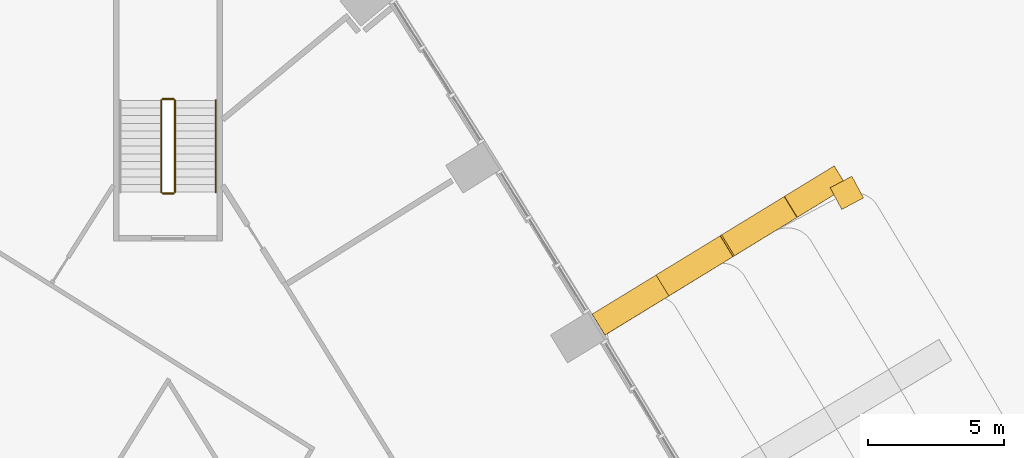
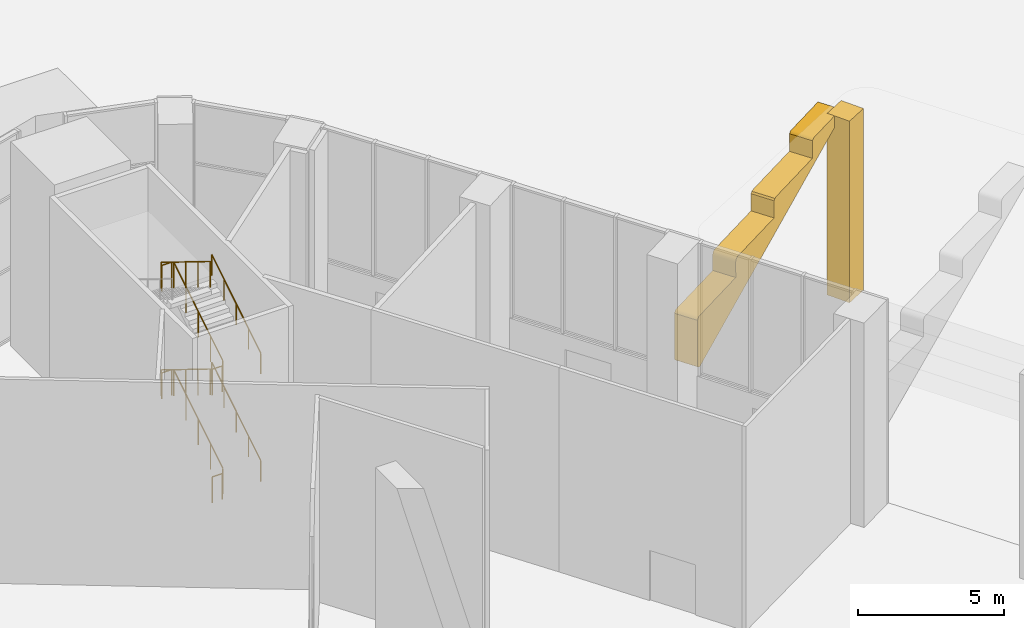
# One storey, part 34 of 36: 10 railings, 2 coverings.
"""IFC4 building model written with IfcOpenShell, lengths in metres."""

from ifc_helpers import new_model, si_unit, direction, frame, origin, origin_2d, place, context, subcontext, project, spatial, polyline, circle, outline, extrude, material, type_object, element, save


model = new_model("IFC4")

# Units and contexts
model_context = context("Model", 3, precision=1e-05, world=origin(), true_north=direction((0.0, 1.0)))
body_context = subcontext(model_context, "Body", "Model", "MODEL_VIEW")
ifc_project = project(units=[si_unit("LENGTHUNIT", "METRE"), si_unit("AREAUNIT", "SQUARE_METRE"), si_unit("VOLUMEUNIT", "CUBIC_METRE"), si_unit("PLANEANGLEUNIT", "RADIAN"), si_unit("MASSUNIT", "GRAM", prefix="KILO")], contexts=[model_context])

# Site, building, storey
site_placement = place(None, origin())
site = spatial("IfcSite", under=ifc_project, at=site_placement, CompositionType="ELEMENT")
building_placement = place(site_placement, origin())
building = spatial("IfcBuilding", under=site, at=building_placement, Name="Entoto Arch Interchange Tower", CompositionType="ELEMENT")
storey_placement = place(building_placement, origin())
storey = spatial("IfcBuildingStorey", under=building, at=storey_placement, Name="L00", CompositionType="ELEMENT", Elevation=0.0)

# Coverings
ifc_material_1 = material(Name="Board-marked precast concrete C50/60", Category="concrete")
covering_type = type_object("IfcCoveringType", Name="PRECAST FRAME COURSE", PredefinedType="CLADDING", material=ifc_material_1)
covering_1_placement = place(storey_placement, frame((16.18603515625, 29.962890625, 3.0869140625), z_axis=(0.521540229965, -0.853221275401, 0.003040350501), x_axis=(-0.817792288832, -0.500893796444, -0.283409909866)))
element("IfcCovering", 1, at=covering_1_placement, inside=storey, type_object=covering_type, Name="Brow rib NE08", PredefinedType="CLADDING", context=body_context, shape_type="SweptSolid", body=[
    extrude(outline(polyline([(0.0, 0.0), (0.03187207967259859, 1.734723475976807e-18), (0.058440522169163844, -0.004797099471415288), (0.09899809737547266, -0.02416559317032764), (0.12182225945857167, -0.04236747654056883), (0.14097652310842, -0.06457536074451892), (0.1595132616578753, -0.10467627107091322), (0.1666739409421688, -0.1337779385235102), (0.1657392936317973, -0.1783074157986579), (-0.35774166993754214, -1.941354876550806), (-0.3735703910345895, -1.9825014416731568), (-0.4049186419604194, -2.013969401628534), (-0.441285464157835, -2.0375906706596103), (-0.4826843577935209, -2.0492866600678266), (-0.5142023021800224, -2.0483740709030775), (-0.5409704009971033, -2.0435175636539618), (-3.036124942741934, -1.3061285809339576), (-3.223495507036716, -1.9442304268223034), (-3.247927410745544, -1.9807984343172467), (-3.2787992378607544, -2.011389284427789), (-3.3201182911374794, -2.030492206100651), (-3.362427327602438, -2.0375908161118272), (-3.404712227058929, -2.031458561360618), (-5.89986676880376, -1.2940695786406142), (-6.0885251124786945, -1.9317918761384978), (-6.109383175824639, -1.9694160193028696), (-6.144028499623248, -1.9988913259662828), (-6.181704520664564, -2.0188162539029397), (-6.227456933044416, -2.025152265428021), (-6.269741832500907, -2.0190200106768126), (-8.764896374245739, -1.2816310279568088), (-8.947977042443908, -1.9052168506958602), (-8.95958505931687, -1.9320815220745513), (-8.984016963025697, -1.9686495295694946), (-9.019649540823169, -1.9945233822361033), (-9.059861524139476, -2.0098802334188246), (-9.104637331006904, -2.0121766372704313), (-9.134771437942884, -2.0065814599930074), (-10.909432767951008, -1.4821176815208217), (-10.951554890027575, -1.4633061570539816), (-10.98333884257152, -1.4340553014142223), (-11.006026970981656, -1.3960368247892534), (-11.017942954214117, -1.3540733600912613), (-11.019142606465616, -1.3244429560610396), (-11.012718410807134, -1.2950278596668197), (-11.001110393934173, -1.2681631882881286), (-10.98406580287422, -1.2441779584282164), (-10.965541438784257, -1.222413334589091), (-10.941045912427873, -1.2057213281265766), (-10.912151689972388, -1.1954207042673475), (-10.885843797254521, -1.188685252593514), (0.0, 0.0)])), origin(), (0.0, 0.0, -1.0), 0.89990234375),
])
covering_2_placement = place(storey_placement, origin())
element("IfcCovering", 2, at=covering_2_placement, inside=storey, type_object=covering_type, Name="Brow post NE08", PredefinedType="CLADDING", context=body_context, shape_type="SweptSolid", body=[
    extrude(outline(polyline([(24.681884765625, 34.462890625), (25.47705078125, 34.885986328125), (25.053955078125, 35.679931640625), (24.260009765625, 35.258056640625), (24.681884765625, 34.462890625)])), origin(), (0.0, 0.0, 1.0), 7.60009765625),
])

# Railings
ifc_material_2 = material(Name="Stainless steel 1.4301", Category="steel")
railing_type_1 = type_object("IfcRailingType", Name="STAIR GUARD 1100 STEEL", PredefinedType="GUARDRAIL", material=ifc_material_2)
railing_1_placement = place(storey_placement, frame((0.25, 35.10009765625, 0.173095703125)))
element("IfcRailing", 3, at=railing_1_placement, inside=storey, type_object=railing_type_1, Name="L00 PST-N stair guard 1", PredefinedType="GUARDRAIL", context=body_context, shape_type="SweptSolid", body=[
    extrude(circle(Radius=0.02392578125, at=origin_2d()), frame((0.0, 0.0, 1.076171875), z_axis=(0.0, 0.850606129759, 0.525803396734), x_axis=(-1.0, 0.0, 0.0)), (0.0, 0.0, 1.0), 3.949951171875),
    extrude(circle(Radius=0.02099609375, at=origin_2d()), origin(), (0.0, 0.0, 1.0), 1.052001953125),
    extrude(circle(Radius=0.02099609375, at=origin_2d()), frame((0.0, 0.83984375, 0.519287109375)), (0.0, 0.0, 1.0), 1.052001953125),
    extrude(circle(Radius=0.02099609375, at=origin_2d()), frame((0.0, 1.679931640625, 1.03857421875)), (0.0, 0.0, 1.0), 1.052001953125),
    extrude(circle(Radius=0.02099609375, at=origin_2d()), frame((0.0, 2.52001953125, 1.5576171875)), (0.0, 0.0, 1.0), 1.052001953125),
    extrude(circle(Radius=0.02099609375, at=origin_2d()), frame((0.0, 3.35986328125, 2.076904296875)), (0.0, 0.0, 1.0), 1.052001953125),
])
railing_2_placement = place(storey_placement, frame((0.199951171875, 38.510009765625, 2.25)))
element("IfcRailing", 4, at=railing_2_placement, inside=storey, type_object=railing_type_1, Name="L00 PST-N stair guard 2", PredefinedType="GUARDRAIL", context=body_context, shape_type="SweptSolid", body=[
    extrude(circle(Radius=0.02392578125, at=origin_2d()), frame((0.0, 0.0, 1.076171875), z_axis=(-1.0, 0.0, 0.0), x_axis=(0.0, -1.0, 0.0)), (0.0, 0.0, 1.0), 0.39990234375),
    extrude(circle(Radius=0.02099609375, at=origin_2d()), origin(), (0.0, 0.0, 1.0), 1.052001953125),
    extrude(circle(Radius=0.02099609375, at=origin_2d()), frame((-0.39990234375, 0.0, 0.0)), (0.0, 0.0, 1.0), 1.052001953125),
])
railing_3_placement = place(storey_placement, frame((-0.25, 38.4599609375, 2.423095703125)))
element("IfcRailing", 5, at=railing_3_placement, inside=storey, type_object=railing_type_1, Name="L00 PST-N stair guard 3", PredefinedType="GUARDRAIL", context=body_context, shape_type="SweptSolid", body=[
    extrude(circle(Radius=0.02392578125, at=origin_2d()), frame((0.0, 0.0, 1.076171875), z_axis=(0.0, -0.850606129759, 0.525803396734), x_axis=(1.0, 0.0, 0.0)), (0.0, 0.0, 1.0), 3.949951171875),
    extrude(circle(Radius=0.02099609375, at=origin_2d()), origin(), (0.0, 0.0, 1.0), 1.052001953125),
    extrude(circle(Radius=0.02099609375, at=origin_2d()), frame((0.0, -0.83984375, 0.519287109375)), (0.0, 0.0, 1.0), 1.052001953125),
    extrude(circle(Radius=0.02099609375, at=origin_2d()), frame((0.0, -1.679931640625, 1.03857421875)), (0.0, 0.0, 1.0), 1.052001953125),
    extrude(circle(Radius=0.02099609375, at=origin_2d()), frame((0.0, -2.52001953125, 1.5576171875)), (0.0, 0.0, 1.0), 1.052001953125),
    extrude(circle(Radius=0.02099609375, at=origin_2d()), frame((0.0, -3.35986328125, 2.076904296875)), (0.0, 0.0, 1.0), 1.052001953125),
])
railing_4_placement = place(storey_placement, frame((0.199951171875, 35.050048828125, 4.5)))
element("IfcRailing", 6, at=railing_4_placement, inside=storey, type_object=railing_type_1, Name="L00 PST-N stair guard 4", PredefinedType="GUARDRAIL", context=body_context, shape_type="SweptSolid", body=[
    extrude(circle(Radius=0.02392578125, at=origin_2d()), frame((0.0, 0.0, 1.076171875), z_axis=(-1.0, 0.0, 0.0), x_axis=(0.0, -1.0, 0.0)), (0.0, 0.0, 1.0), 0.39990234375),
    extrude(circle(Radius=0.02099609375, at=origin_2d()), origin(), (0.0, 0.0, 1.0), 1.052001953125),
    extrude(circle(Radius=0.02099609375, at=origin_2d()), frame((-0.39990234375, 0.0, 0.0)), (0.0, 0.0, 1.0), 1.052001953125),
])
railing_5_placement = place(storey_placement, frame((0.25, 35.10009765625, 4.673095703125)))
element("IfcRailing", 7, at=railing_5_placement, inside=storey, type_object=railing_type_1, Name="L00 PST-N stair guard 5", PredefinedType="GUARDRAIL", context=body_context, shape_type="SweptSolid", body=[
    extrude(circle(Radius=0.02392578125, at=origin_2d()), frame((0.0, 0.0, 1.076171875), z_axis=(0.0, 0.850606129759, 0.525803396734), x_axis=(-1.0, 0.0, 0.0)), (0.0, 0.0, 1.0), 3.949951171875),
    extrude(circle(Radius=0.02099609375, at=origin_2d()), origin(), (0.0, 0.0, 1.0), 1.052001953125),
    extrude(circle(Radius=0.02099609375, at=origin_2d()), frame((0.0, 0.83984375, 0.519287109375)), (0.0, 0.0, 1.0), 1.052001953125),
    extrude(circle(Radius=0.02099609375, at=origin_2d()), frame((0.0, 1.679931640625, 1.03857421875)), (0.0, 0.0, 1.0), 1.052001953125),
    extrude(circle(Radius=0.02099609375, at=origin_2d()), frame((0.0, 2.52001953125, 1.5576171875)), (0.0, 0.0, 1.0), 1.052001953125),
    extrude(circle(Radius=0.02099609375, at=origin_2d()), frame((0.0, 3.35986328125, 2.076904296875)), (0.0, 0.0, 1.0), 1.052001953125),
])
railing_6_placement = place(storey_placement, frame((0.199951171875, 38.510009765625, 6.75)))
element("IfcRailing", 8, at=railing_6_placement, inside=storey, type_object=railing_type_1, Name="L00 PST-N stair guard 6", PredefinedType="GUARDRAIL", context=body_context, shape_type="SweptSolid", body=[
    extrude(circle(Radius=0.02392578125, at=origin_2d()), frame((0.0, 0.0, 1.076171875), z_axis=(-1.0, 0.0, 0.0), x_axis=(0.0, -1.0, 0.0)), (0.0, 0.0, 1.0), 0.39990234375),
    extrude(circle(Radius=0.02099609375, at=origin_2d()), origin(), (0.0, 0.0, 1.0), 1.052001953125),
    extrude(circle(Radius=0.02099609375, at=origin_2d()), frame((-0.39990234375, 0.0, 0.0)), (0.0, 0.0, 1.0), 1.052001953125),
])
railing_7_placement = place(storey_placement, frame((-0.25, 38.4599609375, 6.923095703125)))
element("IfcRailing", 9, at=railing_7_placement, inside=storey, type_object=railing_type_1, Name="L00 PST-N stair guard 7", PredefinedType="GUARDRAIL", context=body_context, shape_type="SweptSolid", body=[
    extrude(circle(Radius=0.02392578125, at=origin_2d()), frame((0.0, 0.0, 1.076171875), z_axis=(0.0, -0.850606129759, 0.525803396734), x_axis=(1.0, 0.0, 0.0)), (0.0, 0.0, 1.0), 3.949951171875),
    extrude(circle(Radius=0.02099609375, at=origin_2d()), origin(), (0.0, 0.0, 1.0), 1.052001953125),
    extrude(circle(Radius=0.02099609375, at=origin_2d()), frame((0.0, -0.83984375, 0.519287109375)), (0.0, 0.0, 1.0), 1.052001953125),
    extrude(circle(Radius=0.02099609375, at=origin_2d()), frame((0.0, -1.679931640625, 1.03857421875)), (0.0, 0.0, 1.0), 1.052001953125),
    extrude(circle(Radius=0.02099609375, at=origin_2d()), frame((0.0, -2.52001953125, 1.5576171875)), (0.0, 0.0, 1.0), 1.052001953125),
    extrude(circle(Radius=0.02099609375, at=origin_2d()), frame((0.0, -3.35986328125, 2.076904296875)), (0.0, 0.0, 1.0), 1.052001953125),
])
railing_8_placement = place(storey_placement, frame((0.199951171875, 35.050048828125, 0.0)))
element("IfcRailing", 10, at=railing_8_placement, inside=storey, type_object=railing_type_1, Name="L00 PST-N stair guard 8", PredefinedType="GUARDRAIL", context=body_context, shape_type="SweptSolid", body=[
    extrude(circle(Radius=0.02392578125, at=origin_2d()), frame((0.0, 0.0, 1.076171875), z_axis=(-1.0, 0.0, 0.0), x_axis=(0.0, -1.0, 0.0)), (0.0, 0.0, 1.0), 0.39990234375),
    extrude(circle(Radius=0.02099609375, at=origin_2d()), origin(), (0.0, 0.0, 1.0), 1.052001953125),
    extrude(circle(Radius=0.02099609375, at=origin_2d()), frame((-0.39990234375, 0.0, 0.0)), (0.0, 0.0, 1.0), 1.052001953125),
])
railing_type_2 = type_object("IfcRailingType", Name="STAIR HANDRAIL 900 STEEL", PredefinedType="HANDRAIL", material=ifc_material_2)
for number, where, name in (
    (11, (1.75, 35.10009765625, 0.173095703125), "L00 PST-N stair handrail 1"),
    (12, (1.75, 35.10009765625, 4.673095703125), "L00 PST-N stair handrail 3"),
):
    element("IfcRailing", number, at=place(storey_placement, frame(where)), inside=storey, type_object=railing_type_2, Name=name, PredefinedType="HANDRAIL", context=body_context, shape_type="SweptSolid", body=[
        extrude(circle(Radius=0.02392578125, at=origin_2d()), frame((0.0, 0.0, 0.8759765625), z_axis=(0.0, 0.850606129759, 0.525803396734), x_axis=(-1.0, 0.0, 0.0)), (0.0, 0.0, 1.0), 3.949951171875),
        extrude(circle(Radius=0.02099609375, at=origin_2d()), origin(), (0.0, 0.0, 1.0), 0.851806640625),
        extrude(circle(Radius=0.02099609375, at=origin_2d()), frame((0.0, 0.83984375, 0.519287109375)), (0.0, 0.0, 1.0), 0.851806640625),
        extrude(circle(Radius=0.02099609375, at=origin_2d()), frame((0.0, 1.679931640625, 1.03857421875)), (0.0, 0.0, 1.0), 0.851806640625),
        extrude(circle(Radius=0.02099609375, at=origin_2d()), frame((0.0, 2.52001953125, 1.5576171875)), (0.0, 0.0, 1.0), 0.851806640625),
        extrude(circle(Radius=0.02099609375, at=origin_2d()), frame((0.0, 3.35986328125, 2.076904296875)), (0.0, 0.0, 1.0), 0.851806640625),
    ])

save(model, "model.ifc")
